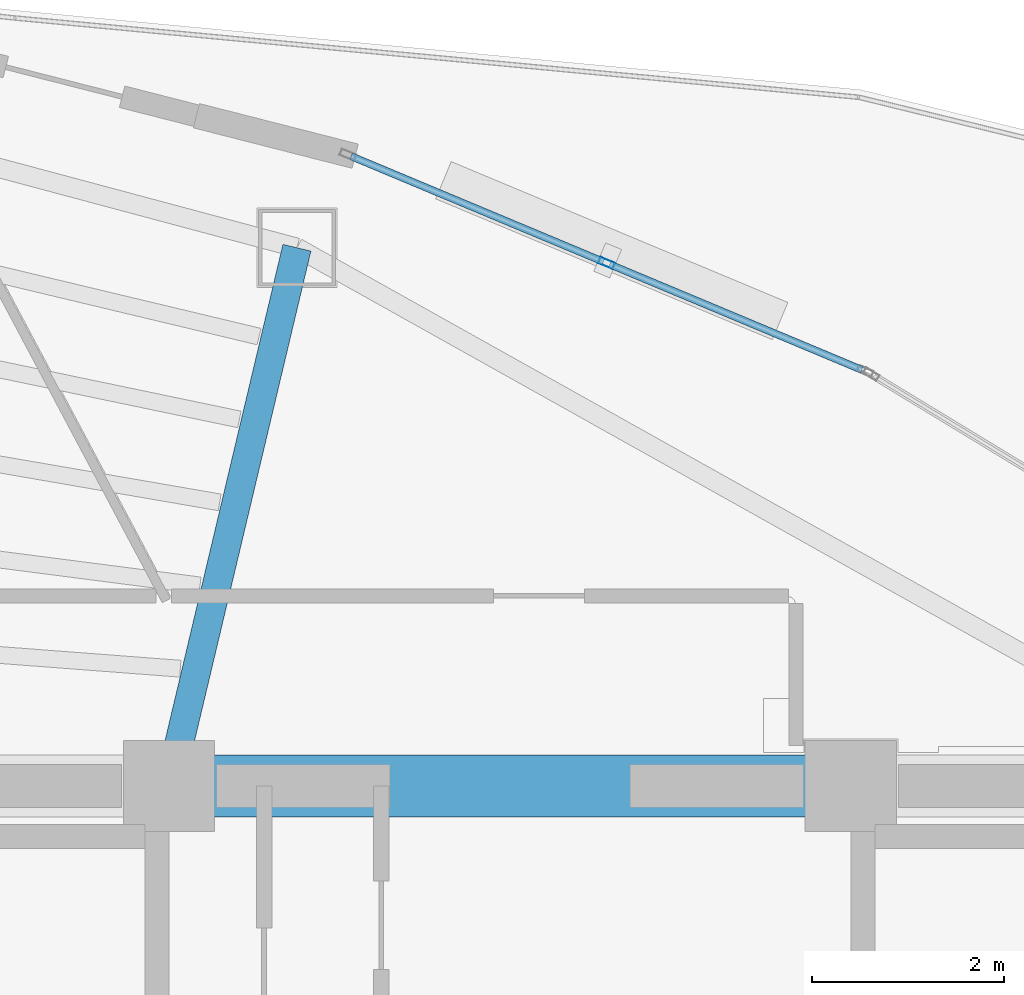
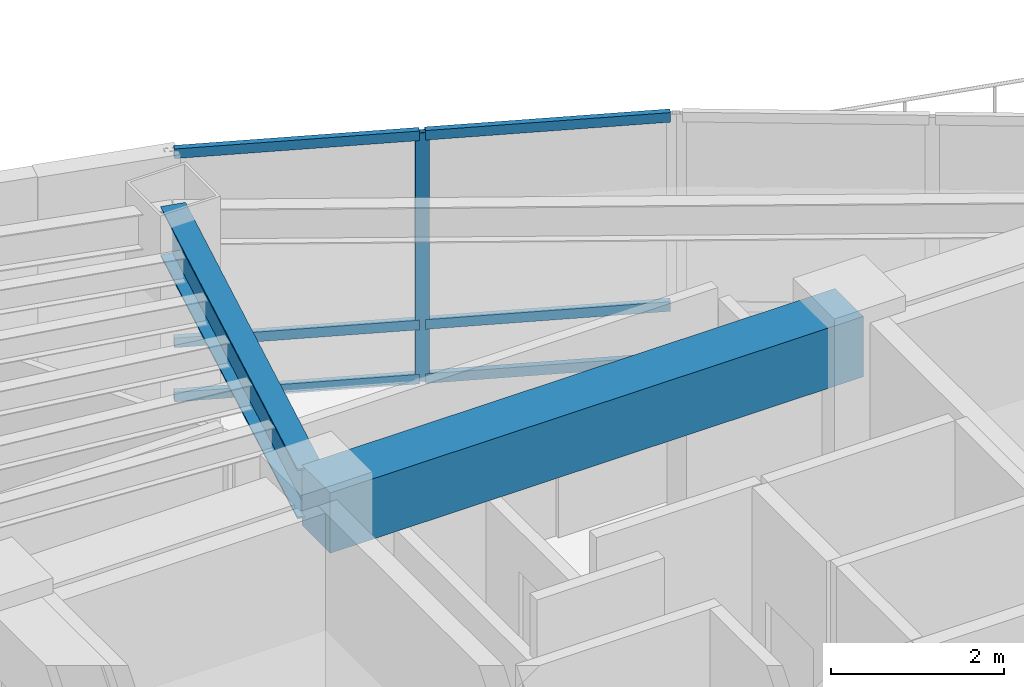
# One storey, part 8 of 16: 7 members, 2 beams, 1 element without a shape of its own.
"""IFC4 building model written with IfcOpenShell, lengths in metres."""

from ifc_helpers import new_model, si_unit, direction, frame, origin, origin_2d, place, context, subcontext, project, spatial, rectangle, hollow_rectangle, i_section, extrude, material, layer, layer_set, material_profile, profile_set, type_object, element, aggregate, save


model = new_model("IFC4")

# Units and contexts
model_context = context("Model", 3, precision=1e-05, world=origin(), true_north=direction((0.0, 1.0)))
body_context = subcontext(model_context, "Body", "Model", "MODEL_VIEW")
ifc_project = project(units=[si_unit("LENGTHUNIT", "METRE"), si_unit("AREAUNIT", "SQUARE_METRE"), si_unit("VOLUMEUNIT", "CUBIC_METRE"), si_unit("PLANEANGLEUNIT", "RADIAN"), si_unit("MASSUNIT", "GRAM", prefix="KILO")], contexts=[model_context])

# Site, building, storey
site_placement = place(None, origin())
site = spatial("IfcSite", under=ifc_project, at=site_placement, CompositionType="ELEMENT")
building_placement = place(site_placement, origin())
building = spatial("IfcBuilding", under=site, at=building_placement, Name="Menara Vayukalpa", CompositionType="ELEMENT")
storey_placement = place(building_placement, frame((0.0, 0.0, 247.139892578125)))
storey = spatial("IfcBuildingStorey", under=building, at=storey_placement, Name="L62", CompositionType="ELEMENT", Elevation=247.139892578125)

# Beams
ifc_material_1 = material(Name="Concrete C60/75", Category="concrete")
ifc_material_profile_1 = material_profile(ifc_material_1, rectangle(XDim=0.64990234375, YDim=0.85009765625, at=origin_2d()), Name="RC 650x850")
ifc_profile_set_1 = profile_set([ifc_material_profile_1], Name="Concrete C60/75")
beam_type_1 = type_object("IfcBeamType", Name="BM-CB1", PredefinedType="BEAM", material=ifc_profile_set_1)
beam_1_placement = place(storey_placement, frame((22.050048828125, 26.800048828125, 3.0751953125), z_axis=(1.0, 0.0, 0.0), x_axis=(0.0, 1.0, 0.0)))
element("IfcBeam", 1, at=beam_1_placement, inside=storey, type_object=beam_type_1, Name="L62 Core Tie Beam CBR5", PredefinedType="BEAM", context=body_context, shape_type="SweptSolid", body=[
    extrude(rectangle(XDim=0.64990234375, YDim=0.85009765625, at=origin_2d()), origin(), (0.0, 0.0, 1.0), 7.099853515625),
])
ifc_material_2 = material(Name="Steel S355", Category="steel")
ifc_material_profile_2 = material_profile(ifc_material_2, i_section(OverallWidth=0.300048828125, OverallDepth=0.699951171875, WebThickness=0.012939453125, FlangeThickness=0.02392578125, at=origin_2d()), Name="WF 700x300x13x24")
ifc_profile_set_2 = profile_set([ifc_material_profile_2], Name="Steel S355")
beam_type_2 = type_object("IfcBeamType", Name="BM-PG5", PredefinedType="BEAM", material=ifc_profile_set_2)
beam_2_placement = place(storey_placement, frame((22.10791015625, 27.043212890625, 3.150146484375), z_axis=(0.231167310854, 0.972914011818, 0.0), x_axis=(-0.972914011818, 0.231167310854, 0.0)))
element("IfcBeam", 2, at=beam_2_placement, inside=storey, type_object=beam_type_2, Name="L62 Primary Radial Girder RG03", PredefinedType="BEAM", context=body_context, shape_type="SweptSolid", body=[
    extrude(i_section(OverallWidth=0.300048828125, OverallDepth=0.699951171875, WebThickness=0.012939453125, FlangeThickness=0.02392578125, at=origin_2d()), origin(), (0.0, 0.0, 1.0), 5.5107421875),
])

# Curtain wall, members
ifc_material_3 = material(Name="Anodised Terracotta Aluminium Alloy 6063-T6", Category="masonry")
ifc_layer = layer(ifc_material_3, 0.1650390625)
ifc_layer_set = layer_set([ifc_layer], Name="Anodised Terracotta Aluminium Alloy 6063-T6")
curtain_wall_type = type_object("IfcCurtainWallType", Name="CW-CW6", PredefinedType="USERDEFINED", material=ifc_layer_set)
curtain_wall_placement = place(storey_placement, origin())
curtain_wall = element("IfcCurtainWall", 3, at=curtain_wall_placement, inside=storey, type_object=curtain_wall_type, Name="L62 Observation and Executive Curtain Wall CW6 05", ObjectType="UNITISED", PredefinedType="USERDEFINED")
ifc_material_4 = material(Name="Anodised Terracotta Aluminium Alloy 6063-T6", Category="masonry")
ifc_material_profile_3 = material_profile(ifc_material_4, hollow_rectangle(XDim=0.070068359375, YDim=0.1650390625, WallThickness=0.00390625, at=origin_2d()), Name="ALU 70x165x4")
ifc_profile_set_3 = profile_set([ifc_material_profile_3], Name="Anodised Terracotta Aluminium Alloy 6063-T6")
member_type_1 = type_object("IfcMemberType", Name="CWM-CW6", PredefinedType="MULLION", material=ifc_profile_set_3)
member_1_placement = place(storey_placement, frame((26.60595703125, 32.2451171875, 0.0), z_axis=(0.0, 0.0, 1.0), x_axis=(-0.385899911703, -0.922540653927, 0.0)))
member_1 = element("IfcMember", 4, at=member_1_placement, type_object=member_type_1, Name="CW6 mullion 2", PredefinedType="MULLION", context=body_context, shape_type="SweptSolid", body=[
    extrude(hollow_rectangle(XDim=0.070068359375, YDim=0.1650390625, WallThickness=0.00390625, at=origin_2d()), origin(), (0.0, 0.0, 1.0), 3.5),
])
ifc_material_5 = material(Name="Anodised Terracotta Aluminium Alloy 6063-T6", Category="masonry")
ifc_material_profile_4 = material_profile(ifc_material_5, hollow_rectangle(XDim=0.074951171875, YDim=0.135009765625, WallThickness=0.00390625, at=origin_2d()), Name="ALU 75x135x4")
ifc_profile_set_4 = profile_set([ifc_material_profile_4], Name="Anodised Terracotta Aluminium Alloy 6063-T6")
member_type_2 = type_object("IfcMemberType", Name="CWT-CW6", PredefinedType="USERDEFINED", material=ifc_profile_set_4)
member_2_placement = place(storey_placement, frame((29.266357421875, 31.13232421875, 0.03759765625), z_axis=(-0.922528286758, 0.385929475592, 0.0), x_axis=(-0.385929475592, -0.922528286758, 0.0)))
member_2 = element("IfcMember", 5, at=member_2_placement, type_object=member_type_2, Name="CW6 transom 1.1", ObjectType="TRANSOM", PredefinedType="USERDEFINED", context=body_context, shape_type="SweptSolid", body=[
    extrude(hollow_rectangle(XDim=0.074951171875, YDim=0.135009765625, WallThickness=0.00390625, at=origin_2d()), origin(), (0.0, 0.0, 1.0), 2.8486328125),
])
member_3_placement = place(storey_placement, frame((29.266357421875, 31.13232421875, 0.800048828125), z_axis=(-0.922528286758, 0.385929475592, 0.0), x_axis=(-0.385929475592, -0.922528286758, 0.0)))
member_3 = element("IfcMember", 6, at=member_3_placement, type_object=member_type_2, Name="CW6 transom 1.2", ObjectType="TRANSOM", PredefinedType="USERDEFINED", context=body_context, shape_type="SweptSolid", body=[
    extrude(hollow_rectangle(XDim=0.074951171875, YDim=0.135009765625, WallThickness=0.00390625, at=origin_2d()), origin(), (0.0, 0.0, 1.0), 2.8486328125),
])
member_4_placement = place(storey_placement, frame((29.266357421875, 31.13232421875, 3.462646484375), z_axis=(-0.922528286758, 0.385929475592, 0.0), x_axis=(-0.385929475592, -0.922528286758, 0.0)))
member_4 = element("IfcMember", 7, at=member_4_placement, type_object=member_type_2, Name="CW6 transom 1.3", ObjectType="TRANSOM", PredefinedType="USERDEFINED", context=body_context, shape_type="SweptSolid", body=[
    extrude(hollow_rectangle(XDim=0.074951171875, YDim=0.135009765625, WallThickness=0.00390625, at=origin_2d()), origin(), (0.0, 0.0, 1.0), 2.8486328125),
])
member_5_placement = place(storey_placement, frame((26.57373046875, 32.258544921875, 0.03759765625), z_axis=(-0.922541050276, 0.38589896418, 0.0), x_axis=(-0.38589896418, -0.922541050276, 0.0)))
member_5 = element("IfcMember", 8, at=member_5_placement, type_object=member_type_2, Name="CW6 transom 2.1", ObjectType="TRANSOM", PredefinedType="USERDEFINED", context=body_context, shape_type="SweptSolid", body=[
    extrude(hollow_rectangle(XDim=0.074951171875, YDim=0.135009765625, WallThickness=0.00390625, at=origin_2d()), origin(), (0.0, 0.0, 1.0), 2.848876953125),
])
member_6_placement = place(storey_placement, frame((26.57373046875, 32.258544921875, 0.800048828125), z_axis=(-0.922541050276, 0.38589896418, 0.0), x_axis=(-0.38589896418, -0.922541050276, 0.0)))
member_6 = element("IfcMember", 9, at=member_6_placement, type_object=member_type_2, Name="CW6 transom 2.2", ObjectType="TRANSOM", PredefinedType="USERDEFINED", context=body_context, shape_type="SweptSolid", body=[
    extrude(hollow_rectangle(XDim=0.074951171875, YDim=0.135009765625, WallThickness=0.00390625, at=origin_2d()), origin(), (0.0, 0.0, 1.0), 2.848876953125),
])
member_7_placement = place(storey_placement, frame((26.57373046875, 32.258544921875, 3.462646484375), z_axis=(-0.922541050276, 0.38589896418, 0.0), x_axis=(-0.38589896418, -0.922541050276, 0.0)))
member_7 = element("IfcMember", 10, at=member_7_placement, type_object=member_type_2, Name="CW6 transom 2.3", ObjectType="TRANSOM", PredefinedType="USERDEFINED", context=body_context, shape_type="SweptSolid", body=[
    extrude(hollow_rectangle(XDim=0.074951171875, YDim=0.135009765625, WallThickness=0.00390625, at=origin_2d()), origin(), (0.0, 0.0, 1.0), 2.848876953125),
])
aggregate(curtain_wall, [member_1, member_2, member_3, member_4, member_5, member_6, member_7])

save(model, "model.ifc")
